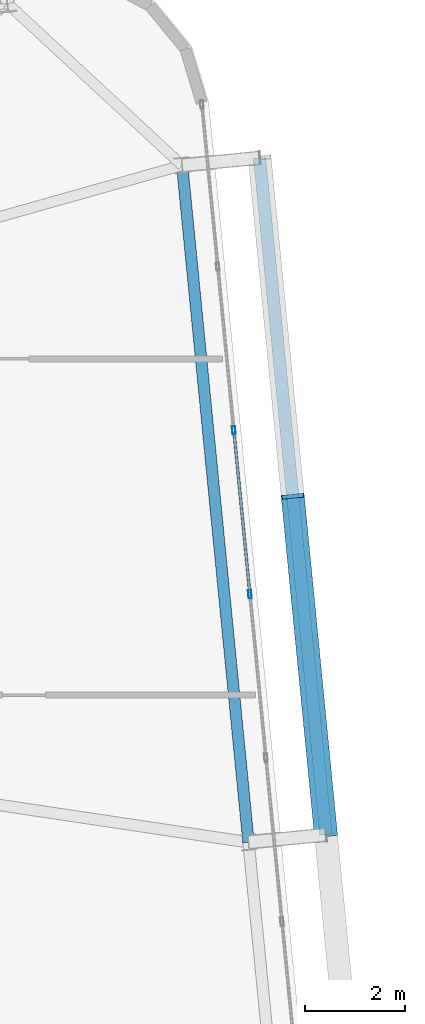
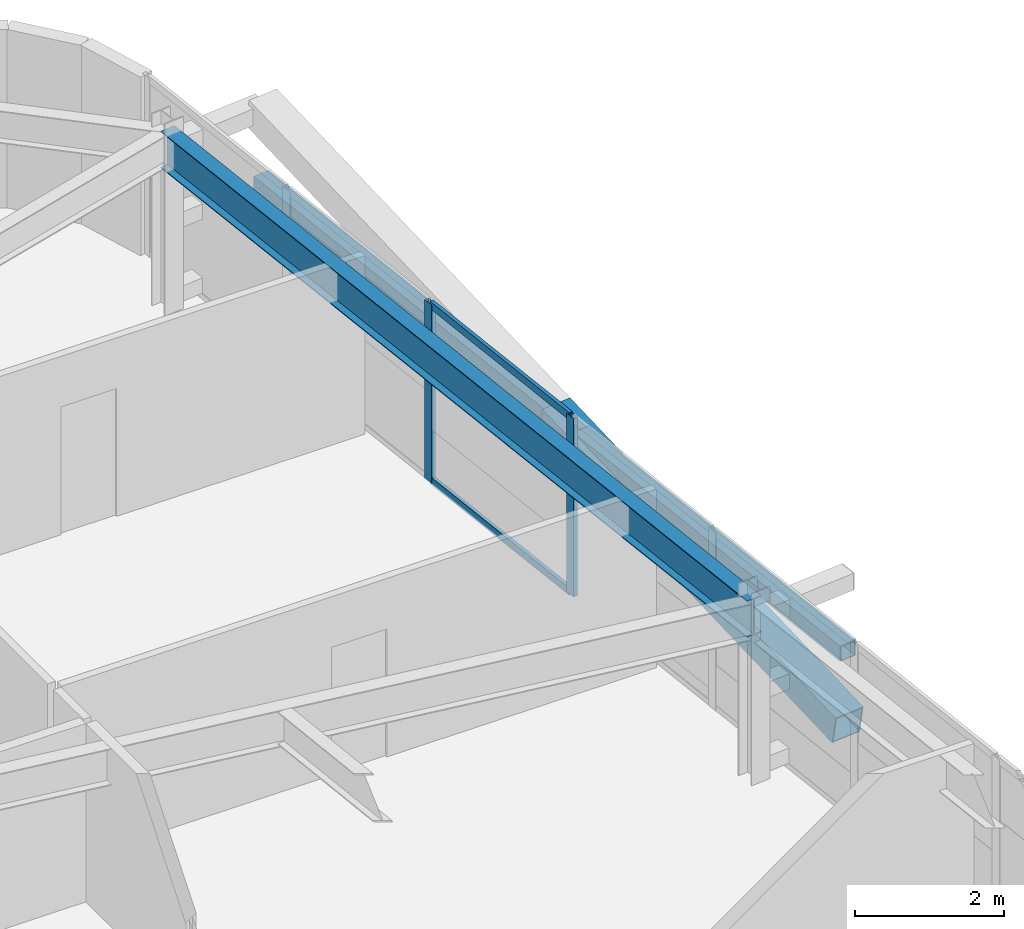
# One storey, part 26 of 52: 6 members, 1 beam, 1 element without a shape of its own.
"""IFC4 building model written with IfcOpenShell, lengths in metres."""

import ifcopenshell
import ifcopenshell.guid

model = None  # the IFC model being written
_history = None  # IfcOwnerHistory: only IFC2X3 demands one
_inside = {}  # id of a spatial element -> (the spatial element, [elements in it])
_under = {}  # id of a project, library or spatial element -> (it, [spatial elements below it])
_declared = {}  # id of a project -> (the project, [libraries it declares])
_typed = {}  # id of a type object -> (the type object, [elements of that type])
_made_of = {}  # id of a material, layer set ... -> (it, [elements and type objects made of it])


def new_model(schema):
    """Start an empty IFC model of exactly this schema.

    Asked for "IFC4X3", IfcOpenShell would pick the latest addendum, in which some entities
    have other attributes; the version numbers below select the first issue.
    IFC2X3 requires an IfcOwnerHistory on every rooted entity: one is made here for all.
    """
    global model, _history
    if schema == "IFC4X3":
        model = ifcopenshell.file(schema_version=(4, 3, 0, 0))
    else:
        model = ifcopenshell.file(schema=schema)
    _inside.clear()
    _under.clear()
    _declared.clear()
    _typed.clear()
    _made_of.clear()
    _history = None
    if model.schema == "IFC2X3":
        org = make("IfcOrganization", Name="unknown")
        user = make(
            "IfcPersonAndOrganization",
            ThePerson=make("IfcPerson", FamilyName="unknown"),
            TheOrganization=org,
        )
        app = make(
            "IfcApplication",
            ApplicationDeveloper=org,
            Version="unknown",
            ApplicationFullName="unknown",
            ApplicationIdentifier="unknown",
        )
        _history = make(
            "IfcOwnerHistory",
            OwningUser=user,
            OwningApplication=app,
            ChangeAction="ADDED",
            CreationDate=0,
        )
    return model


def make(cls, **values):
    """One entity of the class cls with the attributes given. An attribute that is None is left unset."""
    return model.create_entity(
        cls, **{name: value for name, value in values.items() if value is not None}
    )


def rooted(cls, **values):
    """An entity with a GlobalId (a new one), such as an element, a storey or a relation."""
    return make(cls, GlobalId=ifcopenshell.guid.new(), OwnerHistory=_history, **values)


def si_unit(unit_type, name, prefix=None):
    """IfcSIUnit, for example si_unit("LENGTHUNIT", "METRE", prefix="MILLI")."""
    return make("IfcSIUnit", UnitType=unit_type, Prefix=prefix, Name=name)


def assignment(units):
    """IfcUnitAssignment: the units of a project."""
    return None if units is None else make("IfcUnitAssignment", Units=units)


def point(xyz):
    """IfcCartesianPoint."""
    return None if xyz is None else make("IfcCartesianPoint", Coordinates=xyz)


def direction(xyz):
    """IfcDirection."""
    return None if xyz is None else make("IfcDirection", DirectionRatios=xyz)


def frame(location, z_axis=None, x_axis=None):
    """IfcAxis2Placement3D, a coordinate frame: its origin and axes. An axis left out is left unset."""
    return make(
        "IfcAxis2Placement3D",
        Location=point(location),
        Axis=direction(z_axis),
        RefDirection=direction(x_axis),
    )


def frame_2d(location, x_axis=None):
    """IfcAxis2Placement2D, a coordinate frame in the plane: its origin and x axis."""
    return make(
        "IfcAxis2Placement2D", Location=point(location), RefDirection=direction(x_axis)
    )


def origin():
    """The frame at (0, 0, 0) with its axes left unset."""
    return frame((0.0, 0.0, 0.0))


def origin_2d():
    """The frame at (0, 0) in the plane with its x axis left unset."""
    return frame_2d((0.0, 0.0))


def place(relative_to, where):
    """IfcLocalPlacement: puts the frame where relative to a parent placement (None: the world)."""
    return make(
        "IfcLocalPlacement", PlacementRelTo=relative_to, RelativePlacement=where
    )


def context(
    kind, dimensions, precision=None, world=None, true_north=None, identifier=None
):
    """IfcGeometricRepresentationContext, for example the 3D "Model" context."""
    return make(
        "IfcGeometricRepresentationContext",
        ContextIdentifier=identifier,
        ContextType=kind,
        CoordinateSpaceDimension=dimensions,
        Precision=precision,
        WorldCoordinateSystem=world,
        TrueNorth=true_north,
    )


def subcontext(parent, identifier, kind, view, scale=None):
    """IfcGeometricRepresentationSubContext, for example "Body" below "Model"."""
    return make(
        "IfcGeometricRepresentationSubContext",
        ContextIdentifier=identifier,
        ContextType=kind,
        ParentContext=parent,
        TargetScale=scale,
        TargetView=view,
    )


def project(units=None, contexts=None):
    """IfcProject with its units and contexts."""
    return rooted(
        "IfcProject",
        Name="project",
        RepresentationContexts=contexts,
        UnitsInContext=assignment(units),
    )


def spatial(cls, under=None, at=None, **own):
    """A site, building, storey or space (cls), placed at a placement, below another one or the project."""
    s = rooted(cls, ObjectPlacement=at, **own)
    if under is not None:
        _under.setdefault(under.id(), (under, []))[1].append(s)
    return s


def profile(cls, at=None, kind="AREA", **sizes):
    """A parametric profile (cls). Its sizes go by their IFC names, for example OverallWidth=200.0."""
    return make(cls, ProfileType=kind, Position=at, **sizes)


def hollow_rectangle(**sizes):
    """IfcRectangleHollowProfileDef."""
    return profile("IfcRectangleHollowProfileDef", **sizes)


def i_section(**sizes):
    """IfcIShapeProfileDef."""
    return profile("IfcIShapeProfileDef", **sizes)


def extrude(swept, where, along, depth):
    """IfcExtrudedAreaSolid: the profile swept, set in the frame where, extruded along a direction by depth."""
    return make(
        "IfcExtrudedAreaSolid",
        SweptArea=swept,
        Position=where,
        ExtrudedDirection=direction(along),
        Depth=depth,
    )


def shape(context_of_items, identifier, shape_type, items):
    """IfcShapeRepresentation: the items that make up one representation, for example the "Body"."""
    return make(
        "IfcShapeRepresentation",
        ContextOfItems=context_of_items,
        RepresentationIdentifier=identifier,
        RepresentationType=shape_type,
        Items=items,
    )


def source(mapping_origin, context_of_items, identifier, shape_type, items):
    """IfcRepresentationMap: a shape defined once, which mapped items show again and again."""
    return make(
        "IfcRepresentationMap",
        MappingOrigin=mapping_origin,
        MappedRepresentation=shape(context_of_items, identifier, shape_type, items),
    )


def transform(
    local_origin,
    x_axis=None,
    y_axis=None,
    z_axis=None,
    scale=None,
    scale2=None,
    scale3=None,
    uniform=True,
):
    """IfcCartesianTransformationOperator3D, or its non-uniform kind. x_axis, y_axis, z_axis: its Axis1, 2, 3."""
    if uniform:
        return make(
            "IfcCartesianTransformationOperator3D",
            Axis1=direction(x_axis),
            Axis2=direction(y_axis),
            LocalOrigin=point(local_origin),
            Scale=scale,
            Axis3=direction(z_axis),
        )
    return make(
        "IfcCartesianTransformationOperator3DnonUniform",
        Axis1=direction(x_axis),
        Axis2=direction(y_axis),
        LocalOrigin=point(local_origin),
        Scale=scale,
        Axis3=direction(z_axis),
        Scale2=scale2,
        Scale3=scale3,
    )


def mapped(mapping_source, mapping_target):
    """IfcMappedItem: shows the shape of a source again, moved by a transform."""
    return make(
        "IfcMappedItem", MappingSource=mapping_source, MappingTarget=mapping_target
    )


def material(Name=None, Category=None):
    """IfcMaterial."""
    return make("IfcMaterial", Name=Name, Category=Category)


def layer(
    of_material, thickness, ventilated=None, Name=None, Category=None, Priority=None
):
    """IfcMaterialLayer: one layer of a wall or slab, of a material (None: an air gap)."""
    return make(
        "IfcMaterialLayer",
        Material=of_material,
        LayerThickness=thickness,
        IsVentilated=ventilated,
        Name=Name,
        Category=Category,
        Priority=Priority,
    )


def layer_set(layers, Name=None):
    """IfcMaterialLayerSet."""
    return make("IfcMaterialLayerSet", MaterialLayers=layers, LayerSetName=Name)


def material_profile(
    of_material, cross_section, Name=None, Category=None, Priority=None
):
    """IfcMaterialProfile: a cross section and its material."""
    return make(
        "IfcMaterialProfile",
        Name=Name,
        Material=of_material,
        Profile=cross_section,
        Priority=Priority,
        Category=Category,
    )


def profile_set(profiles, Name=None, composite=None):
    """IfcMaterialProfileSet."""
    return make(
        "IfcMaterialProfileSet",
        Name=Name,
        MaterialProfiles=profiles,
        CompositeProfile=composite,
    )


def made_of(thing, what):
    """Note that an element or type object is made of a material, layer set ...; save() writes the relation."""
    if what is not None:
        _made_of.setdefault(what.id(), (what, []))[1].append(thing)
    return thing


def type_object(cls, material=None, **own):
    """A type object (cls), such as IfcWallType, which elements share."""
    return made_of(rooted(cls, **own), material)


def element(
    cls,
    number,
    at=None,
    inside=None,
    cuts=None,
    type_object=None,
    material=None,
    context=None,
    identifier="Body",
    shape_type=None,
    held_by="IfcProductDefinitionShape",
    body=None,
    shapes=None,
    **own,
):
    """One element of the class cls, such as IfcWall. Its Tag is "e" and its number.

    at: its placement. inside: the storey or other place that contains it. cuts: it is an
    opening in that element (IfcRelVoidsElement). A single representation is given by context,
    identifier, shape_type and body (its items); several are given by shapes. held_by: the class
    of the entity that holds the representations. save() writes the other relations.
    """
    e = rooted(cls, Tag="e%d" % number, ObjectPlacement=at, **own)
    if body is not None:
        shapes = [shape(context, identifier, shape_type, body)]
    if shapes is not None:
        e.Representation = make(held_by, Representations=shapes)
    if inside is not None:
        _inside.setdefault(inside.id(), (inside, []))[1].append(e)
    if cuts is not None:
        rooted(
            "IfcRelVoidsElement", RelatingBuildingElement=cuts, RelatedOpeningElement=e
        )
    if type_object is not None:
        _typed.setdefault(type_object.id(), (type_object, []))[1].append(e)
    return made_of(e, material)


def aggregate(whole, parts):
    """IfcRelAggregates: a whole, such as a stair, and the parts it consists of."""
    return rooted("IfcRelAggregates", RelatingObject=whole, RelatedObjects=parts)


def save(model, path):
    """Write the relations noted so far, then the file.

    IfcRelAggregates (storeys below a building ...), IfcRelContainedInSpatialStructure (elements
    in a storey), IfcRelDefinesByType, IfcRelAssociatesMaterial and IfcRelDeclares: one each for
    every whole, place, type object, material and project.
    """
    for whole, parts in _under.values():
        aggregate(whole, parts)
    for where, things in _inside.values():
        rooted(
            "IfcRelContainedInSpatialStructure",
            RelatedElements=things,
            RelatingStructure=where,
        )
    for kind, things in _typed.values():
        rooted("IfcRelDefinesByType", RelatedObjects=things, RelatingType=kind)
    for what, things in _made_of.values():
        rooted("IfcRelAssociatesMaterial", RelatedObjects=things, RelatingMaterial=what)
    for by, libraries in _declared.values():
        rooted("IfcRelDeclares", RelatingContext=by, RelatedDefinitions=libraries)
    model.write(path)


model = new_model("IFC4")

# Units and contexts
model_context = context("Model", 3, precision=1e-05, world=origin(), true_north=direction((0.0, 1.0)))
body_context = subcontext(model_context, "Body", "Model", "MODEL_VIEW")
ifc_project = project(units=[si_unit("LENGTHUNIT", "METRE"), si_unit("AREAUNIT", "SQUARE_METRE"), si_unit("VOLUMEUNIT", "CUBIC_METRE"), si_unit("PLANEANGLEUNIT", "RADIAN"), si_unit("MASSUNIT", "GRAM", prefix="KILO")], contexts=[model_context])

# Site, building, storey
site_placement = place(None, origin())
site = spatial("IfcSite", under=ifc_project, at=site_placement, CompositionType="ELEMENT")
building_placement = place(site_placement, origin())
building = spatial("IfcBuilding", under=site, at=building_placement, Name="Taldren Reach Tower", CompositionType="ELEMENT")
storey_placement = place(building_placement, frame((0.0, 0.0, 96.60009765625)))
storey = spatial("IfcBuildingStorey", under=building, at=storey_placement, Name="L29", CompositionType="ELEMENT", Elevation=96.60009765625)

# Beam
ifc_material_1 = material(Name="Steel Gr 350 (350PLUS)", Category="steel")
ifc_material_profile_1 = material_profile(ifc_material_1, i_section(OverallWidth=0.22802734375, OverallDepth=0.60205078125, WebThickness=0.010498046875, FlangeThickness=0.014892578125, at=origin_2d()), Name="610UB101")
ifc_profile_set_1 = profile_set([ifc_material_profile_1], Name="Steel Gr 350 (350PLUS)")
beam_type = type_object("IfcBeamType", Name="BM-UB610B", PredefinedType="BEAM", material=ifc_profile_set_1)
shared_shape_1 = source(origin(), body_context, "Body", "SweptSolid", [
    extrude(i_section(OverallWidth=0.22802734375, OverallDepth=0.60205078125, WebThickness=0.010498046875, FlangeThickness=0.014892578125, at=origin_2d()), origin(), (0.0, 0.0, 1.0), 13.550048828125),
])
beam_placement = place(storey_placement, frame((64.569580078125, 21.968994140625, 2.62890625), z_axis=(-0.097584021339, 0.995227290009, 0.0), x_axis=(-0.995227290009, -0.097584021339, 0.0)))
element("IfcBeam", 1, at=beam_placement, inside=storey, type_object=beam_type, Name="Perimeter gable girder B2 E2-E3 L29", PredefinedType="BEAM", context=body_context, shape_type="MappedRepresentation", body=[
    mapped(shared_shape_1, transform((0.0, 0.0, 0.0), scale=1.0)),
])

# Members
ifc_material_2 = material(Name="Steel Gr 450 (C450L0)", Category="steel")
ifc_material_profile_2 = material_profile(ifc_material_2, hollow_rectangle(XDim=0.4599609375, YDim=0.4599609375, WallThickness=0.01611328125, at=origin_2d()), Name="460x460x16.0SHS")
ifc_profile_set_2 = profile_set([ifc_material_profile_2], Name="Steel Gr 450 (C450L0)")
member_type_1 = type_object("IfcMemberType", Name="MB-EXO457", PredefinedType="BRACE", material=ifc_profile_set_2)
shared_shape_2 = source(origin(), body_context, "Body", "SweptSolid", [
    extrude(hollow_rectangle(XDim=0.4599609375, YDim=0.4599609375, WallThickness=0.01611328125, at=origin_2d()), origin(), (0.0, 0.0, 1.0), 6.883056640625),
])
member_1_placement = place(storey_placement, frame((66.112060546875, 22.1201171875, 0.219970703125), z_axis=(-0.096052059581, 0.979603316657, 0.176497432967), x_axis=(-0.995227290009, -0.097584021339, 0.0)))
element("IfcMember", 2, at=member_1_placement, inside=storey, type_object=member_type_1, Name="Exoskeleton Diagrid Brace B2-E2 L29", PredefinedType="BRACE", context=body_context, shape_type="MappedRepresentation", body=[
    mapped(shared_shape_2, transform((0.0, 0.0, 0.0), scale=1.0)),
])
ifc_material_3 = material(Name="Steel Gr 350 (C350L0)", Category="steel")
ifc_material_profile_3 = material_profile(ifc_material_3, hollow_rectangle(XDim=0.25, YDim=0.25, WallThickness=0.010009765625, at=origin_2d()), Name="250x250x10.0SHS")
ifc_profile_set_3 = profile_set([ifc_material_profile_3], Name="Steel Gr 350 (C350L0)")
member_type_2 = type_object("IfcMemberType", Name="MB-POST250", PredefinedType="POST", material=ifc_profile_set_3)
shared_shape_3 = source(origin(), body_context, "Body", "SweptSolid", [
    extrude(hollow_rectangle(XDim=0.25, YDim=0.25, WallThickness=0.010009765625, at=origin_2d()), origin(), (0.0, 0.0, 1.0), 13.550048828125),
])
member_2_placement = place(storey_placement, frame((66.112060546875, 22.1201171875, 1.434814453125), z_axis=(-0.097584021339, 0.995227290009, 0.0), x_axis=(-0.995227290009, -0.097584021339, 0.0)))
element("IfcMember", 3, at=member_2_placement, inside=storey, type_object=member_type_2, Name="Exoskeleton mid-height ring chord B2-E2 L29", PredefinedType="POST", context=body_context, shape_type="MappedRepresentation", body=[
    mapped(shared_shape_3, transform((0.0, 0.0, 0.0), scale=1.0)),
])

# Curtain wall, members
ifc_material_4 = material(Name="Aluminium and Low-E Glass Unitised System", Category="aluminium")
ifc_layer = layer(ifc_material_4, 0.159912109375)
ifc_layer_set = layer_set([ifc_layer], Name="Aluminium and Low-E Glass Unitised System")
curtain_wall_type = type_object("IfcCurtainWallType", Name="CW-SYS-3", PredefinedType="NOTDEFINED", material=ifc_layer_set)
curtain_wall_placement = place(storey_placement, origin())
curtain_wall = element("IfcCurtainWall", 4, at=curtain_wall_placement, inside=storey, type_object=curtain_wall_type, Name="Unitised curtain wall CW-L29-E", PredefinedType="NOTDEFINED")
ifc_material_5 = material(Name="Anodised Aluminium 6063-T6", Category="aluminium")
ifc_material_profile_4 = material_profile(ifc_material_5, hollow_rectangle(XDim=0.06494140625, YDim=0.1650390625, WallThickness=0.00390625, at=origin_2d()), Name="ALU-165x65x4RHS")
ifc_profile_set_4 = profile_set([ifc_material_profile_4], Name="Anodised Aluminium 6063-T6")
member_type_3 = type_object("IfcMemberType", Name="CW-MUL-165", PredefinedType="MULLION", material=ifc_profile_set_4)
shared_shape_4 = source(origin(), body_context, "Body", "SweptSolid", [
    extrude(hollow_rectangle(XDim=0.06494140625, YDim=0.1650390625, WallThickness=0.00390625, at=origin_2d()), origin(), (0.0, 0.0, 1.0), 2.929931640625),
])
member_3_placement = place(storey_placement, frame((64.59716796875, 26.911865234375, 0.0), z_axis=(0.0, 0.0, 1.0), x_axis=(-0.99522741555, -0.09758274098, 0.0)))
member_3 = element("IfcMember", 5, at=member_3_placement, type_object=member_type_3, Name="CW-3 mullion 7", PredefinedType="MULLION", context=body_context, shape_type="MappedRepresentation", body=[
    mapped(shared_shape_4, transform((0.0, 0.0, 0.0), scale=1.0)),
])
member_4_placement = place(storey_placement, frame((64.27734375, 30.174072265625, 0.0), z_axis=(0.0, 0.0, 1.0), x_axis=(-0.99522741555, -0.09758274098, 0.0)))
member_4 = element("IfcMember", 6, at=member_4_placement, type_object=member_type_3, Name="CW-3 mullion 8", PredefinedType="MULLION", context=body_context, shape_type="MappedRepresentation", body=[
    mapped(shared_shape_4, transform((0.0, 0.0, 0.0), scale=1.0)),
])
ifc_material_profile_5 = material_profile(ifc_material_5, hollow_rectangle(XDim=0.054931640625, YDim=0.1201171875, WallThickness=0.0029296875, at=origin_2d()), Name="ALU-120x55x3RHS")
ifc_profile_set_5 = profile_set([ifc_material_profile_5], Name="Anodised Aluminium 6063-T6")
member_type_4 = type_object("IfcMemberType", Name="CW-TRN-135", PredefinedType="USERDEFINED", material=ifc_profile_set_5)
shared_shape_5 = source(origin(), body_context, "Body", "SweptSolid", [
    extrude(hollow_rectangle(XDim=0.054931640625, YDim=0.1201171875, WallThickness=0.0029296875, at=origin_2d()), origin(), (0.0, 0.0, 1.0), 3.212890625),
])
member_5_placement = place(storey_placement, frame((64.593994140625, 26.944091796875, 0.02734375), z_axis=(-0.097569948235, 0.995228669805, 0.0), x_axis=(-0.995228669805, -0.097569948235, 0.0)))
member_5 = element("IfcMember", 7, at=member_5_placement, type_object=member_type_4, Name="CW-3 transom 7.1", ObjectType="TRANSOM", PredefinedType="USERDEFINED", context=body_context, shape_type="MappedRepresentation", body=[
    mapped(shared_shape_5, transform((0.0, 0.0, 0.0), scale=1.0)),
])
member_6_placement = place(storey_placement, frame((64.593994140625, 26.944091796875, 2.90234375), z_axis=(-0.097569948235, 0.995228669805, 0.0), x_axis=(-0.995228669805, -0.097569948235, 0.0)))
member_6 = element("IfcMember", 8, at=member_6_placement, type_object=member_type_4, Name="CW-3 transom 7.2", ObjectType="TRANSOM", PredefinedType="USERDEFINED", context=body_context, shape_type="MappedRepresentation", body=[
    mapped(shared_shape_5, transform((0.0, 0.0, 0.0), scale=1.0)),
])
aggregate(curtain_wall, [member_3, member_4, member_5, member_6])

save(model, "model.ifc")
